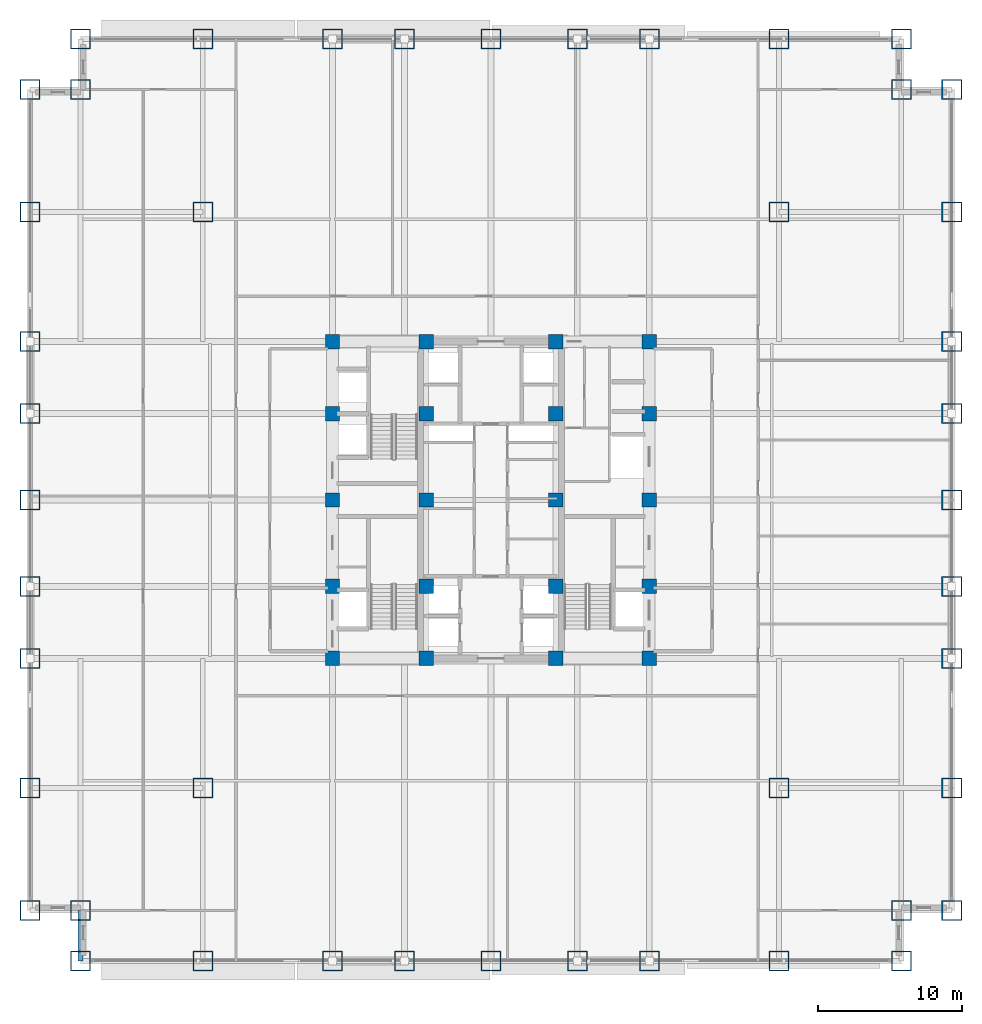
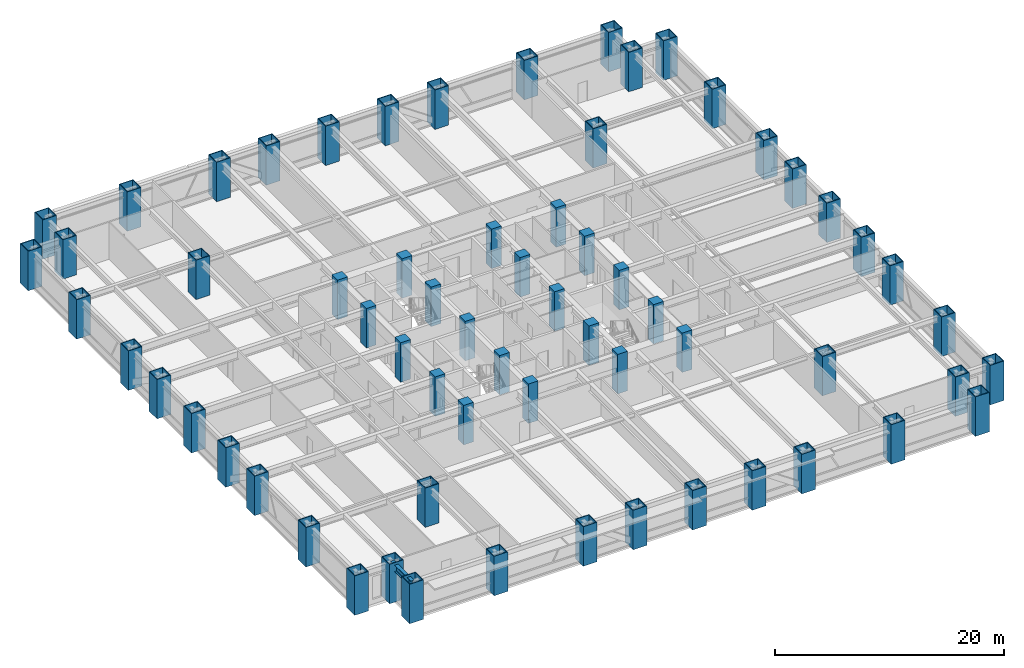
# One storey, part 1 of 32: 64 columns, 1 beam.
"""IFC4 building model written with IfcOpenShell, lengths in metres."""

import ifcopenshell
import ifcopenshell.guid

model = None  # the IFC model being written
_history = None  # IfcOwnerHistory: only IFC2X3 demands one
_inside = {}  # id of a spatial element -> (the spatial element, [elements in it])
_under = {}  # id of a project, library or spatial element -> (it, [spatial elements below it])
_declared = {}  # id of a project -> (the project, [libraries it declares])
_typed = {}  # id of a type object -> (the type object, [elements of that type])
_made_of = {}  # id of a material, layer set ... -> (it, [elements and type objects made of it])


def new_model(schema):
    """Start an empty IFC model of exactly this schema.

    Asked for "IFC4X3", IfcOpenShell would pick the latest addendum, in which some entities
    have other attributes; the version numbers below select the first issue.
    IFC2X3 requires an IfcOwnerHistory on every rooted entity: one is made here for all.
    """
    global model, _history
    if schema == "IFC4X3":
        model = ifcopenshell.file(schema_version=(4, 3, 0, 0))
    else:
        model = ifcopenshell.file(schema=schema)
    _inside.clear()
    _under.clear()
    _declared.clear()
    _typed.clear()
    _made_of.clear()
    _history = None
    if model.schema == "IFC2X3":
        org = make("IfcOrganization", Name="unknown")
        user = make(
            "IfcPersonAndOrganization",
            ThePerson=make("IfcPerson", FamilyName="unknown"),
            TheOrganization=org,
        )
        app = make(
            "IfcApplication",
            ApplicationDeveloper=org,
            Version="unknown",
            ApplicationFullName="unknown",
            ApplicationIdentifier="unknown",
        )
        _history = make(
            "IfcOwnerHistory",
            OwningUser=user,
            OwningApplication=app,
            ChangeAction="ADDED",
            CreationDate=0,
        )
    return model


def make(cls, **values):
    """One entity of the class cls with the attributes given. An attribute that is None is left unset."""
    return model.create_entity(
        cls, **{name: value for name, value in values.items() if value is not None}
    )


def rooted(cls, **values):
    """An entity with a GlobalId (a new one), such as an element, a storey or a relation."""
    return make(cls, GlobalId=ifcopenshell.guid.new(), OwnerHistory=_history, **values)


def si_unit(unit_type, name, prefix=None):
    """IfcSIUnit, for example si_unit("LENGTHUNIT", "METRE", prefix="MILLI")."""
    return make("IfcSIUnit", UnitType=unit_type, Prefix=prefix, Name=name)


def assignment(units):
    """IfcUnitAssignment: the units of a project."""
    return None if units is None else make("IfcUnitAssignment", Units=units)


def point(xyz):
    """IfcCartesianPoint."""
    return None if xyz is None else make("IfcCartesianPoint", Coordinates=xyz)


def direction(xyz):
    """IfcDirection."""
    return None if xyz is None else make("IfcDirection", DirectionRatios=xyz)


def frame(location, z_axis=None, x_axis=None):
    """IfcAxis2Placement3D, a coordinate frame: its origin and axes. An axis left out is left unset."""
    return make(
        "IfcAxis2Placement3D",
        Location=point(location),
        Axis=direction(z_axis),
        RefDirection=direction(x_axis),
    )


def frame_2d(location, x_axis=None):
    """IfcAxis2Placement2D, a coordinate frame in the plane: its origin and x axis."""
    return make(
        "IfcAxis2Placement2D", Location=point(location), RefDirection=direction(x_axis)
    )


def origin():
    """The frame at (0, 0, 0) with its axes left unset."""
    return frame((0.0, 0.0, 0.0))


def origin_2d():
    """The frame at (0, 0) in the plane with its x axis left unset."""
    return frame_2d((0.0, 0.0))


def place(relative_to, where):
    """IfcLocalPlacement: puts the frame where relative to a parent placement (None: the world)."""
    return make(
        "IfcLocalPlacement", PlacementRelTo=relative_to, RelativePlacement=where
    )


def context(
    kind, dimensions, precision=None, world=None, true_north=None, identifier=None
):
    """IfcGeometricRepresentationContext, for example the 3D "Model" context."""
    return make(
        "IfcGeometricRepresentationContext",
        ContextIdentifier=identifier,
        ContextType=kind,
        CoordinateSpaceDimension=dimensions,
        Precision=precision,
        WorldCoordinateSystem=world,
        TrueNorth=true_north,
    )


def subcontext(parent, identifier, kind, view, scale=None):
    """IfcGeometricRepresentationSubContext, for example "Body" below "Model"."""
    return make(
        "IfcGeometricRepresentationSubContext",
        ContextIdentifier=identifier,
        ContextType=kind,
        ParentContext=parent,
        TargetScale=scale,
        TargetView=view,
    )


def project(units=None, contexts=None):
    """IfcProject with its units and contexts."""
    return rooted(
        "IfcProject",
        Name="project",
        RepresentationContexts=contexts,
        UnitsInContext=assignment(units),
    )


def spatial(cls, under=None, at=None, **own):
    """A site, building, storey or space (cls), placed at a placement, below another one or the project."""
    s = rooted(cls, ObjectPlacement=at, **own)
    if under is not None:
        _under.setdefault(under.id(), (under, []))[1].append(s)
    return s


def profile(cls, at=None, kind="AREA", **sizes):
    """A parametric profile (cls). Its sizes go by their IFC names, for example OverallWidth=200.0."""
    return make(cls, ProfileType=kind, Position=at, **sizes)


def rectangle(**sizes):
    """IfcRectangleProfileDef."""
    return profile("IfcRectangleProfileDef", **sizes)


def hollow_rectangle(**sizes):
    """IfcRectangleHollowProfileDef."""
    return profile("IfcRectangleHollowProfileDef", **sizes)


def i_section(**sizes):
    """IfcIShapeProfileDef."""
    return profile("IfcIShapeProfileDef", **sizes)


def extrude(swept, where, along, depth):
    """IfcExtrudedAreaSolid: the profile swept, set in the frame where, extruded along a direction by depth."""
    return make(
        "IfcExtrudedAreaSolid",
        SweptArea=swept,
        Position=where,
        ExtrudedDirection=direction(along),
        Depth=depth,
    )


def shape(context_of_items, identifier, shape_type, items):
    """IfcShapeRepresentation: the items that make up one representation, for example the "Body"."""
    return make(
        "IfcShapeRepresentation",
        ContextOfItems=context_of_items,
        RepresentationIdentifier=identifier,
        RepresentationType=shape_type,
        Items=items,
    )


def source(mapping_origin, context_of_items, identifier, shape_type, items):
    """IfcRepresentationMap: a shape defined once, which mapped items show again and again."""
    return make(
        "IfcRepresentationMap",
        MappingOrigin=mapping_origin,
        MappedRepresentation=shape(context_of_items, identifier, shape_type, items),
    )


def transform(
    local_origin,
    x_axis=None,
    y_axis=None,
    z_axis=None,
    scale=None,
    scale2=None,
    scale3=None,
    uniform=True,
):
    """IfcCartesianTransformationOperator3D, or its non-uniform kind. x_axis, y_axis, z_axis: its Axis1, 2, 3."""
    if uniform:
        return make(
            "IfcCartesianTransformationOperator3D",
            Axis1=direction(x_axis),
            Axis2=direction(y_axis),
            LocalOrigin=point(local_origin),
            Scale=scale,
            Axis3=direction(z_axis),
        )
    return make(
        "IfcCartesianTransformationOperator3DnonUniform",
        Axis1=direction(x_axis),
        Axis2=direction(y_axis),
        LocalOrigin=point(local_origin),
        Scale=scale,
        Axis3=direction(z_axis),
        Scale2=scale2,
        Scale3=scale3,
    )


def mapped(mapping_source, mapping_target):
    """IfcMappedItem: shows the shape of a source again, moved by a transform."""
    return make(
        "IfcMappedItem", MappingSource=mapping_source, MappingTarget=mapping_target
    )


def material(Name=None, Category=None):
    """IfcMaterial."""
    return make("IfcMaterial", Name=Name, Category=Category)


def material_profile(
    of_material, cross_section, Name=None, Category=None, Priority=None
):
    """IfcMaterialProfile: a cross section and its material."""
    return make(
        "IfcMaterialProfile",
        Name=Name,
        Material=of_material,
        Profile=cross_section,
        Priority=Priority,
        Category=Category,
    )


def profile_set(profiles, Name=None, composite=None):
    """IfcMaterialProfileSet."""
    return make(
        "IfcMaterialProfileSet",
        Name=Name,
        MaterialProfiles=profiles,
        CompositeProfile=composite,
    )


def made_of(thing, what):
    """Note that an element or type object is made of a material, layer set ...; save() writes the relation."""
    if what is not None:
        _made_of.setdefault(what.id(), (what, []))[1].append(thing)
    return thing


def type_object(cls, material=None, **own):
    """A type object (cls), such as IfcWallType, which elements share."""
    return made_of(rooted(cls, **own), material)


def element(
    cls,
    number,
    at=None,
    inside=None,
    cuts=None,
    type_object=None,
    material=None,
    context=None,
    identifier="Body",
    shape_type=None,
    held_by="IfcProductDefinitionShape",
    body=None,
    shapes=None,
    **own,
):
    """One element of the class cls, such as IfcWall. Its Tag is "e" and its number.

    at: its placement. inside: the storey or other place that contains it. cuts: it is an
    opening in that element (IfcRelVoidsElement). A single representation is given by context,
    identifier, shape_type and body (its items); several are given by shapes. held_by: the class
    of the entity that holds the representations. save() writes the other relations.
    """
    e = rooted(cls, Tag="e%d" % number, ObjectPlacement=at, **own)
    if body is not None:
        shapes = [shape(context, identifier, shape_type, body)]
    if shapes is not None:
        e.Representation = make(held_by, Representations=shapes)
    if inside is not None:
        _inside.setdefault(inside.id(), (inside, []))[1].append(e)
    if cuts is not None:
        rooted(
            "IfcRelVoidsElement", RelatingBuildingElement=cuts, RelatedOpeningElement=e
        )
    if type_object is not None:
        _typed.setdefault(type_object.id(), (type_object, []))[1].append(e)
    return made_of(e, material)


def aggregate(whole, parts):
    """IfcRelAggregates: a whole, such as a stair, and the parts it consists of."""
    return rooted("IfcRelAggregates", RelatingObject=whole, RelatedObjects=parts)


def save(model, path):
    """Write the relations noted so far, then the file.

    IfcRelAggregates (storeys below a building ...), IfcRelContainedInSpatialStructure (elements
    in a storey), IfcRelDefinesByType, IfcRelAssociatesMaterial and IfcRelDeclares: one each for
    every whole, place, type object, material and project.
    """
    for whole, parts in _under.values():
        aggregate(whole, parts)
    for where, things in _inside.values():
        rooted(
            "IfcRelContainedInSpatialStructure",
            RelatedElements=things,
            RelatingStructure=where,
        )
    for kind, things in _typed.values():
        rooted("IfcRelDefinesByType", RelatedObjects=things, RelatingType=kind)
    for what, things in _made_of.values():
        rooted("IfcRelAssociatesMaterial", RelatedObjects=things, RelatingMaterial=what)
    for by, libraries in _declared.values():
        rooted("IfcRelDeclares", RelatingContext=by, RelatedDefinitions=libraries)
    model.write(path)


model = new_model("IFC4")

# Units and contexts
model_context = context("Model", 3, precision=1e-05, world=origin(), true_north=direction((0.0, 1.0)))
body_context = subcontext(model_context, "Body", "Model", "MODEL_VIEW")
ifc_project = project(units=[si_unit("LENGTHUNIT", "METRE"), si_unit("AREAUNIT", "SQUARE_METRE"), si_unit("VOLUMEUNIT", "CUBIC_METRE"), si_unit("PLANEANGLEUNIT", "RADIAN"), si_unit("MASSUNIT", "GRAM", prefix="KILO")], contexts=[model_context])

# Site, building, storey
site_placement = place(None, origin())
site = spatial("IfcSite", under=ifc_project, at=site_placement, CompositionType="ELEMENT")
building_placement = place(site_placement, origin())
building = spatial("IfcBuilding", under=site, at=building_placement, Name="Khorayat Bourse Tower", CompositionType="ELEMENT")
storey_placement = place(building_placement, frame((0.0, 0.0, 70.39990234375)))
storey = spatial("IfcBuildingStorey", under=building, at=storey_placement, Name="L15", CompositionType="ELEMENT", Elevation=70.39990234375)

# Columns
ifc_material_1 = material(Name="Steel EN 10025-4 S460M", Category="steel")
ifc_material_profile_1 = material_profile(ifc_material_1, hollow_rectangle(XDim=1.39990234375, YDim=1.39990234375, WallThickness=0.074951171875, at=origin_2d()), Name="BOX 1400x1400x75")
ifc_profile_set_1 = profile_set([ifc_material_profile_1], Name="Steel EN 10025-4 S460M")
column_type_1 = type_object("IfcColumnType", Name="COL-TUBE-1400", PredefinedType="COLUMN", material=ifc_profile_set_1)
shared_shape_1 = source(origin(), body_context, "Body", "SweptSolid", [
    extrude(hollow_rectangle(XDim=1.39990234375, YDim=1.39990234375, WallThickness=0.074951171875, at=origin_2d()), origin(), (0.0, 0.0, 1.0), 4.2001953125),
])
for number, where, z_axis, x_axis, name in (
    (1, (-32.0, -28.5, 0.0), (0.0, 0.0, 1.0), (1.0, 0.0, 0.0), "L15 Column 001"),
    (2, (-32.0, -20.0, 0.0), (0.0, 0.0, 1.0), (1.0, 0.0, 0.0), "L15 Column 002"),
    (3, (-32.0, -11.0, 0.0), (0.0, 0.0, 1.0), (1.0, 0.0, 0.0), "L15 Column 003"),
    (4, (-32.0, -6.0, 0.0), (0.0, 0.0, 1.0), (1.0, 0.0, 0.0), "L15 Column 004"),
    (5, (-32.0, 0.0, 0.0), (0.0, 0.0, 1.0), (1.0, 0.0, 0.0), "L15 Column 005"),
    (6, (-32.0, 6.0, 0.0), (0.0, 0.0, 1.0), (1.0, 0.0, 0.0), "L15 Column 006"),
    (7, (-32.0, 11.0, 0.0), (0.0, 0.0, 1.0), (1.0, 0.0, 0.0), "L15 Column 007"),
    (8, (-32.0, 20.0, 0.0), (0.0, 0.0, 1.0), (1.0, 0.0, 0.0), "L15 Column 008"),
    (9, (-32.0, 28.5, 0.0), (0.0, 0.0, 1.0), (1.0, 0.0, 0.0), "L15 Column 009"),
    (10, (-28.5, -32.0, 0.0), (0.0, 0.0, 1.0), (1.0, 0.0, 0.0), "L15 Column 010"),
    (11, (-28.5, -28.5, 0.0), (0.0, 0.0, 1.0), (1.0, 0.0, 0.0), "L15 Column 011"),
    (12, (-28.5, 28.5, 0.0), (0.0, 0.0, 1.0), (1.0, 0.0, 0.0), "L15 Column 012"),
    (13, (-28.5, 32.0, 0.0), (0.0, 0.0, 1.0), (1.0, 0.0, 0.0), "L15 Column 013"),
    (14, (-20.0, -32.0, 0.0), (0.0, 0.0, 1.0), (1.0, 0.0, 0.0), "L15 Column 014"),
    (15, (-20.0, -20.0, 0.0), (0.0, 0.0, 1.0), (1.0, 0.0, 0.0), "L15 Column 015"),
    (16, (-20.0, 20.0, 0.0), (0.0, 0.0, 1.0), (1.0, 0.0, 0.0), "L15 Column 016"),
    (17, (-20.0, 32.0, 0.0), (0.0, 0.0, 1.0), (1.0, 0.0, 0.0), "L15 Column 017"),
    (18, (-11.0, -32.0, 0.0), (0.0, 0.0, 1.0), (1.0, 0.0, 0.0), "L15 Column 018"),
    (19, (-11.0, 32.0, 0.0), (0.0, 0.0, 1.0), (1.0, 0.0, 0.0), "L15 Column 024"),
    (20, (-6.0, -32.0, 0.0), (0.0, 0.0, 1.0), (1.0, 0.0, 0.0), "L15 Column 025"),
    (21, (-6.0, 32.0, 0.0), (0.0, 0.0, 1.0), (1.0, 0.0, 0.0), "L15 Column 026"),
    (22, (0.0, -32.0, 0.0), (0.0, 0.0, 1.0), (1.0, 0.0, 0.0), "L15 Column 032"),
    (23, (0.0, 32.0, 0.0), (0.0, 0.0, 1.0), (1.0, 0.0, 0.0), "L15 Column 033"),
    (24, (6.0, -32.0, 0.0), (0.0, 0.0, 1.0), (1.0, 0.0, 0.0), "L15 Column 039"),
    (25, (6.0, 32.0, 0.0), (0.0, 0.0, 1.0), (1.0, 0.0, 0.0), "L15 Column 040"),
    (26, (11.0, -32.0, 0.0), (0.0, 0.0, 1.0), (1.0, 0.0, 0.0), "L15 Column 041"),
    (27, (11.0, 32.0, 0.0), (0.0, 0.0, 1.0), (1.0, 0.0, 0.0), "L15 Column 047"),
    (28, (20.0, -32.0, 0.0), (0.0, 0.0, 1.0), (1.0, 0.0, 0.0), "L15 Column 048"),
    (29, (20.0, -20.0, 0.0), (0.0, 0.0, 1.0), (1.0, 0.0, 0.0), "L15 Column 049"),
    (30, (20.0, 20.0, 0.0), (0.0, 0.0, 1.0), (1.0, 0.0, 0.0), "L15 Column 050"),
    (31, (20.0, 32.0, 0.0), (0.0, 0.0, 1.0), (1.0, 0.0, 0.0), "L15 Column 051"),
    (32, (28.5, -32.0, 0.0), (0.0, 0.0, 1.0), (1.0, 0.0, 0.0), "L15 Column 052"),
    (33, (28.5, -28.5, 0.0), (0.0, 0.0, 1.0), (1.0, 0.0, 0.0), "L15 Column 053"),
    (34, (28.5, 28.5, 0.0), (0.0, 0.0, 1.0), (1.0, 0.0, 0.0), "L15 Column 054"),
    (35, (28.5, 32.0, 0.0), (0.0, 0.0, 1.0), (1.0, 0.0, 0.0), "L15 Column 055"),
    (36, (32.0, -28.5, 0.0), (0.0, 0.0, 1.0), (1.0, 0.0, 0.0), "L15 Column 056"),
    (37, (32.0, -20.0, 0.0), (0.0, 0.0, 1.0), (1.0, 0.0, 0.0), "L15 Column 057"),
    (38, (32.0, -11.0, 0.0), (0.0, 0.0, 1.0), (1.0, 0.0, 0.0), "L15 Column 058"),
    (39, (32.0, -6.0, 0.0), (0.0, 0.0, 1.0), (1.0, 0.0, 0.0), "L15 Column 059"),
    (40, (32.0, 0.0, 0.0), (0.0, 0.0, 1.0), (1.0, 0.0, 0.0), "L15 Column 060"),
    (41, (32.0, 6.0, 0.0), (0.0, 0.0, 1.0), (1.0, 0.0, 0.0), "L15 Column 061"),
    (42, (32.0, 11.0, 0.0), (0.0, 0.0, 1.0), (1.0, 0.0, 0.0), "L15 Column 062"),
    (43, (32.0, 20.0, 0.0), (0.0, 0.0, 1.0), (1.0, 0.0, 0.0), "L15 Column 063"),
    (44, (32.0, 28.5, 0.0), (0.0, 0.0, 1.0), (1.0, 0.0, 0.0), "L15 Column 064"),
):
    element("IfcColumn", number, at=place(storey_placement, frame(where, z_axis=z_axis, x_axis=x_axis)), inside=storey, type_object=column_type_1, Name=name, PredefinedType="COLUMN", context=body_context, shape_type="MappedRepresentation", body=[
        mapped(shared_shape_1, transform((0.0, 0.0, 0.0), scale=1.0)),
    ])
ifc_material_2 = material(Name="Concrete C72/90", Category="concrete")
ifc_material_profile_2 = material_profile(ifc_material_2, rectangle(XDim=1.0, YDim=1.0, at=origin_2d()), Name="RC 1000x1000")
ifc_profile_set_2 = profile_set([ifc_material_profile_2], Name="Concrete C72/90")
column_type_2 = type_object("IfcColumnType", Name="COL-CORE-1000", PredefinedType="COLUMN", material=ifc_profile_set_2)
shared_shape_2 = source(origin(), body_context, "Body", "SweptSolid", [
    extrude(rectangle(XDim=1.0, YDim=1.0, at=origin_2d()), origin(), (0.0, 0.0, 1.0), 4.2001953125),
])
for number, where, z_axis, x_axis, name in (
    (45, (-11.0, -11.0, 0.0), (0.0, 0.0, 1.0), (1.0, 0.0, 0.0), "L15 Column 019"),
    (46, (-11.0, -6.0, 0.0), (0.0, 0.0, 1.0), (1.0, 0.0, 0.0), "L15 Column 020"),
    (47, (-11.0, 0.0, 0.0), (0.0, 0.0, 1.0), (1.0, 0.0, 0.0), "L15 Column 021"),
    (48, (-11.0, 6.0, 0.0), (0.0, 0.0, 1.0), (1.0, 0.0, 0.0), "L15 Column 022"),
    (49, (-11.0, 11.0, 0.0), (0.0, 0.0, 1.0), (1.0, 0.0, 0.0), "L15 Column 023"),
    (50, (-4.5, -11.0, 0.0), (0.0, 0.0, 1.0), (1.0, 0.0, 0.0), "L15 Column 027"),
    (51, (-4.5, -6.0, 0.0), (0.0, 0.0, 1.0), (1.0, 0.0, 0.0), "L15 Column 028"),
    (52, (-4.5, 0.0, 0.0), (0.0, 0.0, 1.0), (1.0, 0.0, 0.0), "L15 Column 029"),
    (53, (-4.5, 6.0, 0.0), (0.0, 0.0, 1.0), (1.0, 0.0, 0.0), "L15 Column 030"),
    (54, (-4.5, 11.0, 0.0), (0.0, 0.0, 1.0), (1.0, 0.0, 0.0), "L15 Column 031"),
    (55, (4.5, -11.0, 0.0), (0.0, 0.0, 1.0), (1.0, 0.0, 0.0), "L15 Column 034"),
    (56, (4.5, -6.0, 0.0), (0.0, 0.0, 1.0), (1.0, 0.0, 0.0), "L15 Column 035"),
    (57, (4.5, 0.0, 0.0), (0.0, 0.0, 1.0), (1.0, 0.0, 0.0), "L15 Column 036"),
    (58, (4.5, 6.0, 0.0), (0.0, 0.0, 1.0), (1.0, 0.0, 0.0), "L15 Column 037"),
    (59, (4.5, 11.0, 0.0), (0.0, 0.0, 1.0), (1.0, 0.0, 0.0), "L15 Column 038"),
    (60, (11.0, -11.0, 0.0), (0.0, 0.0, 1.0), (1.0, 0.0, 0.0), "L15 Column 042"),
    (61, (11.0, -6.0, 0.0), (0.0, 0.0, 1.0), (1.0, 0.0, 0.0), "L15 Column 043"),
    (62, (11.0, 0.0, 0.0), (0.0, 0.0, 1.0), (1.0, 0.0, 0.0), "L15 Column 044"),
    (63, (11.0, 6.0, 0.0), (0.0, 0.0, 1.0), (1.0, 0.0, 0.0), "L15 Column 045"),
    (64, (11.0, 11.0, 0.0), (0.0, 0.0, 1.0), (1.0, 0.0, 0.0), "L15 Column 046"),
):
    element("IfcColumn", number, at=place(storey_placement, frame(where, z_axis=z_axis, x_axis=x_axis)), inside=storey, type_object=column_type_2, Name=name, PredefinedType="COLUMN", context=body_context, shape_type="MappedRepresentation", body=[
        mapped(shared_shape_2, transform((0.0, 0.0, 0.0), scale=1.0)),
    ])

# Beam
ifc_material_3 = material(Name="Steel ASTM A992 Grade 50", Category="steel")
ifc_material_profile_3 = material_profile(ifc_material_3, i_section(OverallWidth=0.35498046875, OverallDepth=0.695068359375, WebThickness=0.015380859375, FlangeThickness=0.02490234375, FilletRadius=0.01806640625, at=origin_2d()), Name="W690X217")
ifc_profile_set_3 = profile_set([ifc_material_profile_3], Name="Steel ASTM A992 Grade 50")
beam_type = type_object("IfcBeamType", Name="BM-SPAN-690", PredefinedType="SPANDREL", material=ifc_profile_set_3)
shared_shape_3 = source(origin(), body_context, "Body", "SweptSolid", [
    extrude(i_section(OverallWidth=0.35498046875, OverallDepth=0.695068359375, WebThickness=0.015380859375, FlangeThickness=0.02490234375, FilletRadius=0.01806640625, at=origin_2d()), origin(), (0.0, 0.0, 1.0), 3.5),
])
beam_placement = place(storey_placement, frame((-28.5, -32.0, 3.592529296875), z_axis=(0.0, 1.0, 0.0), x_axis=(-1.0, 0.0, 0.0)))
element("IfcBeam", 65, at=beam_placement, inside=storey, type_object=beam_type, Name="L15 BM-SPAN-690 BM-L15-SPN-063", PredefinedType="SPANDREL", context=body_context, shape_type="MappedRepresentation", body=[
    mapped(shared_shape_3, transform((0.0, 0.0, 0.0), scale=1.0)),
])

save(model, "model.ifc")
